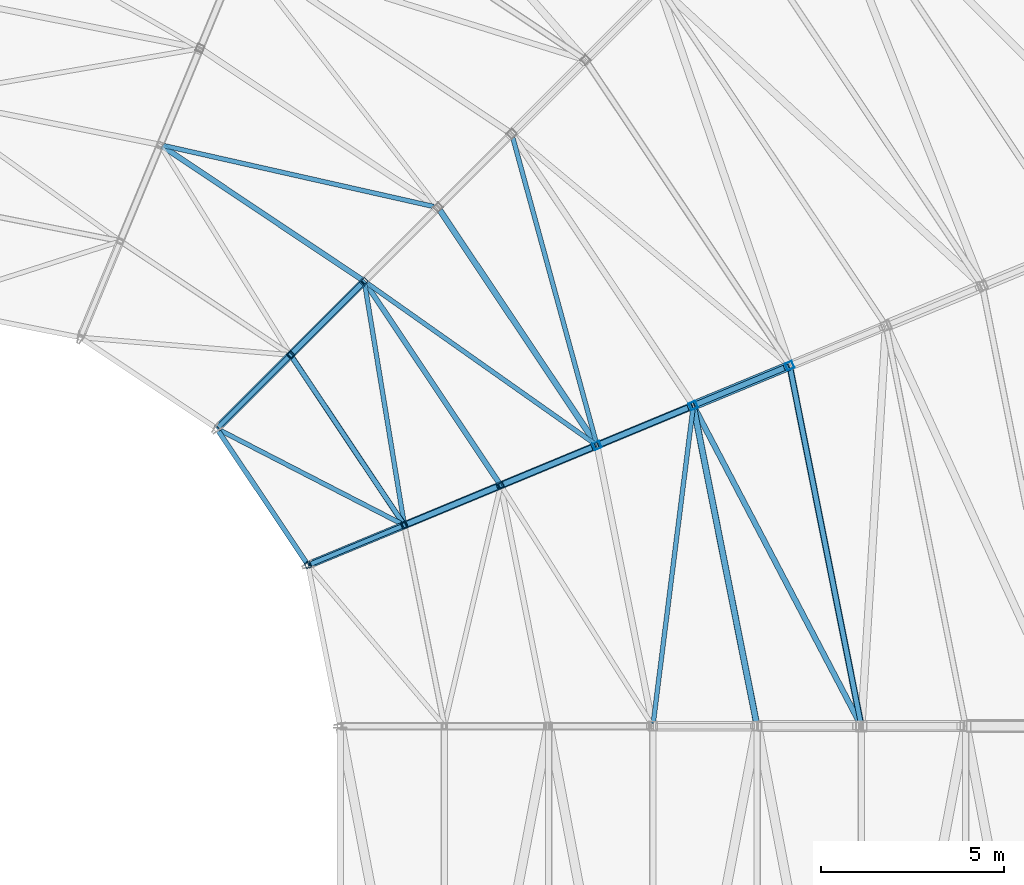
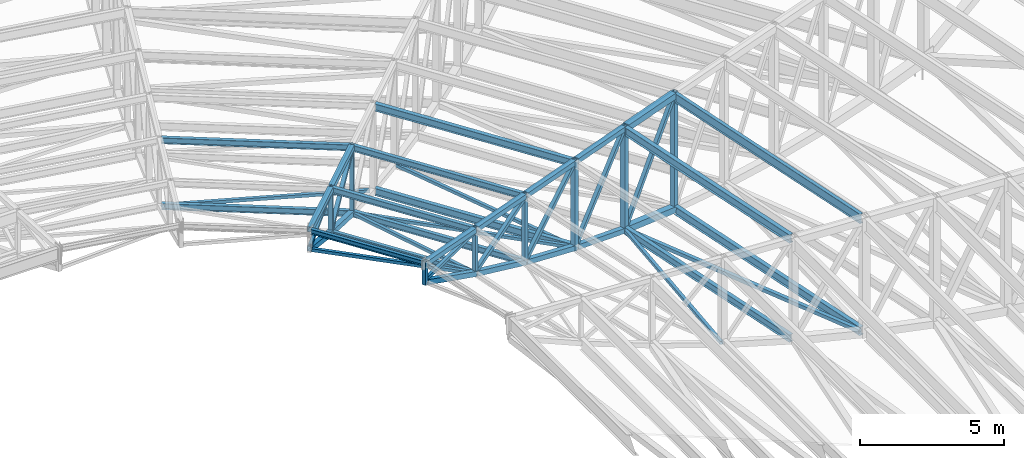
# One storey, part 99 of 278: 27 members, 22 beams.
"""IFC4 building model written with IfcOpenShell, lengths in metres."""

from ifc_helpers import new_model, si_unit, direction, frame, origin, origin_2d, place, context, subcontext, project, spatial, hollow_rectangle, i_section, extrude, material, material_profile, profile_set, type_object, element, save


model = new_model("IFC4")

# Units and contexts
model_context = context("Model", 3, precision=1e-05, world=origin(), true_north=direction((0.0, 1.0)))
body_context = subcontext(model_context, "Body", "Model", "MODEL_VIEW")
ifc_project = project(units=[si_unit("LENGTHUNIT", "METRE"), si_unit("AREAUNIT", "SQUARE_METRE"), si_unit("VOLUMEUNIT", "CUBIC_METRE"), si_unit("PLANEANGLEUNIT", "RADIAN"), si_unit("MASSUNIT", "GRAM", prefix="KILO")], contexts=[model_context])

# Site, building, storey
site_placement = place(None, origin())
site = spatial("IfcSite", under=ifc_project, at=site_placement, CompositionType="ELEMENT")
building_placement = place(site_placement, origin())
building = spatial("IfcBuilding", under=site, at=building_placement, Name="Ogive Plaza Stadium", CompositionType="ELEMENT")
storey_placement = place(building_placement, frame((0.0, 0.0, 29.0)))
storey = spatial("IfcBuildingStorey", under=building, at=storey_placement, Name="Roof", CompositionType="ELEMENT", Elevation=29.0)

# Members
ifc_material_1 = material(Name="Steel ASTM A500 Grade C", Category="steel")
ifc_material_profile_1 = material_profile(ifc_material_1, hollow_rectangle(XDim=0.126953125, YDim=0.126953125, WallThickness=0.005859375, at=origin_2d()), Name="HSS5X5X1/4")
ifc_profile_set_1 = profile_set([ifc_material_profile_1], Name="Steel ASTM A500 Grade C")
member_type_1 = type_object("IfcMemberType", Name="Roof plan brace HSS5X5X1/4", PredefinedType="BRACE", material=ifc_profile_set_1)
member_1_placement = place(storey_placement, frame((40.638916015625, 68.3779296875, 4.206298828125), z_axis=(0.968099836714, -0.218386127806, -0.122842196891), x_axis=(0.220052759827, 0.97548797168, 0.0)))
element("IfcMember", 1, at=member_1_placement, inside=storey, type_object=member_type_1, Name="ROOF BRACE B38 3", PredefinedType="BRACE", context=body_context, shape_type="SweptSolid", body=[
    extrude(hollow_rectangle(XDim=0.126953125, YDim=0.126953125, WallThickness=0.005859375, at=origin_2d()), origin(), (0.0, 0.0, 1.0), 7.655517578125),
])
member_2_placement = place(storey_placement, frame((42.1943359375, 60.599609375, 6.51171875), z_axis=(0.86971173479, -0.447994348676, -0.207129336217), x_axis=(0.457925110267, 0.888990772386, 0.0)))
element("IfcMember", 2, at=member_2_placement, inside=storey, type_object=member_type_1, Name="ROOF BRACE B39 1", PredefinedType="BRACE", context=body_context, shape_type="SweptSolid", body=[
    extrude(hollow_rectangle(XDim=0.126953125, YDim=0.126953125, WallThickness=0.005859375, at=origin_2d()), origin(), (0.0, 0.0, 1.0), 5.6953125),
])
member_3_placement = place(storey_placement, frame((47.24755859375, 58.0537109375, 5.295654296875), z_axis=(-0.159991499608, 0.974144447421, -0.159515878869), x_axis=(-0.986779804791, -0.162066704963, 0.0)))
element("IfcMember", 3, at=member_3_placement, inside=storey, type_object=member_type_1, Name="ROOF BRACE B39 2", PredefinedType="BRACE", context=body_context, shape_type="SweptSolid", body=[
    extrude(hollow_rectangle(XDim=0.126953125, YDim=0.126953125, WallThickness=0.005859375, at=origin_2d()), origin(), (0.0, 0.0, 1.0), 6.673095703125),
])
member_4_placement = place(storey_placement, frame((46.2099609375, 64.628662109375, 4.206298828125), z_axis=(0.810840921574, -0.572228855685, -0.12284598741), x_axis=(0.576596140714, 0.817029308234, 0.0)))
element("IfcMember", 4, at=member_4_placement, inside=storey, type_object=member_type_1, Name="ROOF BRACE B39 3", PredefinedType="BRACE", context=body_context, shape_type="SweptSolid", body=[
    extrude(hollow_rectangle(XDim=0.126953125, YDim=0.126953125, WallThickness=0.005859375, at=origin_2d()), origin(), (0.0, 0.0, 1.0), 7.6552734375),
])
member_5_placement = place(storey_placement, frame((52.50244140625, 60.25048828125, 3.242431640625), z_axis=(-0.262776220921, 0.960526396468, -0.091311003753), x_axis=(-0.964555901835, -0.263878593741, 0.0)))
element("IfcMember", 5, at=member_5_placement, inside=storey, type_object=member_type_1, Name="ROOF BRACE B39 4", PredefinedType="BRACE", context=body_context, shape_type="SweptSolid", body=[
    extrude(hollow_rectangle(XDim=0.126953125, YDim=0.126953125, WallThickness=0.005859375, at=origin_2d()), origin(), (0.0, 0.0, 1.0), 8.66552734375),
])
member_6_placement = place(storey_placement, frame((54.06005859375, 52.579833984375, 3.242431640625), z_axis=(0.124778646777, 0.987974166898, -0.091309007497), x_axis=(-0.992118636076, 0.125302082787, 0.0)))
element("IfcMember", 6, at=member_6_placement, inside=storey, type_object=member_type_1, Name="ROOF BRACE B40 4", PredefinedType="BRACE", context=body_context, shape_type="SweptSolid", body=[
    extrude(hollow_rectangle(XDim=0.126953125, YDim=0.126953125, WallThickness=0.005859375, at=origin_2d()), origin(), (0.0, 0.0, 1.0), 8.665771484375),
])
ifc_material_2 = material(Name="Steel ASTM A500 Grade C", Category="steel")
ifc_material_profile_2 = material_profile(ifc_material_2, hollow_rectangle(XDim=0.15234375, YDim=0.15234375, WallThickness=0.005859375, at=origin_2d()), Name="HSS6X6X1/4")
ifc_profile_set_2 = profile_set([ifc_material_profile_2], Name="Steel ASTM A500 Grade C")
member_type_2 = type_object("IfcMemberType", Name="Roof plan brace HSS6X6X1/4", PredefinedType="BRACE", material=ifc_profile_set_2)
member_7_placement = place(storey_placement, frame((55.193359375, 61.193603515625, 2.434326171875), z_axis=(0.463053945364, -0.883462841824, -0.071235179498), x_axis=(0.885712953377, 0.464233307962, 0.0)))
element("IfcMember", 7, at=member_7_placement, inside=storey, type_object=member_type_2, Name="ROOF BRACE B40 5", PredefinedType="BRACE", context=body_context, shape_type="SweptSolid", body=[
    extrude(hollow_rectangle(XDim=0.15234375, YDim=0.15234375, WallThickness=0.005859375, at=origin_2d()), origin(), (0.0, 0.0, 1.0), 9.657958984375),
])
ifc_material_3 = material(Name="Steel ASTM A992 Grade 50", Category="steel")
ifc_material_profile_3 = material_profile(ifc_material_3, i_section(OverallWidth=0.14599609375, OverallDepth=0.25830078125, WebThickness=0.006103515625, FlangeThickness=0.009033203125, at=origin_2d()), Name="W10X22")
ifc_profile_set_3 = profile_set([ifc_material_profile_3], Name="Steel ASTM A992 Grade 50")
member_type_3 = type_object("IfcMemberType", Name="Roof plan strut W10X22", PredefinedType="STRUT", material=ifc_profile_set_3)
for number, where, z_axis, x_axis, name in (
    (8, (40.6337890625, 68.356201171875, 4.213623046875), (0.831473916404, -0.555563791422, 0.0), (0.555563791422, 0.831473916404, 0.0), "ROOF STRUT B38 2"),
    (9, (46.19677734375, 64.610595703125, 4.213623046875), (0.555563791422, -0.831473916404, 0.0), (0.831473916404, 0.555563791422, 0.0), "ROOF STRUT B39 2"),
):
    element("IfcMember", number, at=place(storey_placement, frame(where, z_axis=z_axis, x_axis=x_axis)), inside=storey, type_object=member_type_3, Name=name, PredefinedType="STRUT", context=body_context, shape_type="SweptSolid", body=[
        extrude(i_section(OverallWidth=0.14599609375, OverallDepth=0.25830078125, WebThickness=0.006103515625, FlangeThickness=0.009033203125, at=origin_2d()), origin(), (0.0, 0.0, 1.0), 6.5869140625),
    ])
ifc_material_4 = material(Name="Steel ASTM A992 Grade 50", Category="steel")
ifc_material_profile_4 = material_profile(ifc_material_4, i_section(OverallWidth=0.164794921875, OverallDepth=0.310302734375, WebThickness=0.005859375, FlangeThickness=0.009765625, at=origin_2d()), Name="W12X26")
ifc_profile_set_4 = profile_set([ifc_material_profile_4], Name="Steel ASTM A992 Grade 50")
member_type_4 = type_object("IfcMemberType", Name="Roof plan strut W12X26", PredefinedType="STRUT", material=ifc_profile_set_4)
member_8_placement = place(storey_placement, frame((48.2275390625, 66.602783203125, 3.249755859375), z_axis=(0.555562324677, -0.831474896434, 0.0), x_axis=(0.831474896434, 0.555562324677, 0.0)))
element("IfcMember", 10, at=member_8_placement, inside=storey, type_object=member_type_4, Name="ROOF STRUT B39 3", PredefinedType="STRUT", context=body_context, shape_type="SweptSolid", body=[
    extrude(i_section(OverallWidth=0.164794921875, OverallDepth=0.310302734375, WebThickness=0.005859375, FlangeThickness=0.009765625, at=origin_2d()), origin(), (0.0, 0.0, 1.0), 7.643310546875),
])
member_9_placement = place(storey_placement, frame((55.17431640625, 61.17529296875, 2.43994140625), z_axis=(0.195104879523, -0.980782384623, 0.0), x_axis=(0.980782384623, 0.195104879523, 0.0)))
element("IfcMember", 11, at=member_9_placement, inside=storey, type_object=member_type_4, Name="ROOF STRUT B40 4", PredefinedType="STRUT", context=body_context, shape_type="SweptSolid", body=[
    extrude(i_section(OverallWidth=0.164794921875, OverallDepth=0.310302734375, WebThickness=0.005859375, FlangeThickness=0.009765625, at=origin_2d()), origin(), (0.0, 0.0, 1.0), 8.729248046875),
])
ifc_material_5 = material(Name="Steel ASTM A992 Grade 50", Category="steel")
ifc_material_profile_5 = material_profile(ifc_material_5, i_section(OverallWidth=0.17138671875, OverallDepth=0.35498046875, WebThickness=0.00732421875, FlangeThickness=0.011474609375, at=origin_2d()), Name="W14X34")
ifc_profile_set_5 = profile_set([ifc_material_profile_5], Name="Steel ASTM A992 Grade 50")
member_type_5 = type_object("IfcMemberType", Name="Roof plan strut W14X34", PredefinedType="STRUT", material=ifc_profile_set_5)
member_10_placement = place(storey_placement, frame((57.8076171875, 62.26513671875, 1.733154296875), z_axis=(0.19508268848, -0.980786798777, 0.0), x_axis=(0.980786798777, 0.19508268848, 0.0)))
element("IfcMember", 12, at=member_10_placement, inside=storey, type_object=member_type_5, Name="ROOF STRUT B40 5", PredefinedType="STRUT", context=body_context, shape_type="SweptSolid", body=[
    extrude(i_section(OverallWidth=0.17138671875, OverallDepth=0.35498046875, WebThickness=0.00732421875, FlangeThickness=0.011474609375, at=origin_2d()), origin(), (0.0, 0.0, 1.0), 9.81396484375),
])
ifc_material_6 = material(Name="Steel ASTM A992 Grade 50", Category="steel")
ifc_material_profile_6 = material_profile(ifc_material_6, i_section(OverallWidth=0.13330078125, OverallDepth=0.206787109375, WebThickness=0.005859375, FlangeThickness=0.00830078125, at=origin_2d()), Name="W8X18")
ifc_profile_set_6 = profile_set([ifc_material_profile_6], Name="Steel ASTM A992 Grade 50")
member_type_6 = type_object("IfcMemberType", Name="Roof plan strut W8X18", PredefinedType="STRUT", material=ifc_profile_set_6)
member_11_placement = place(storey_placement, frame((44.180908203125, 62.59619140625, 5.305908203125), z_axis=(0.555584527762, -0.831460060683, 0.0), x_axis=(0.831460060683, 0.555584527762, 0.0)))
element("IfcMember", 13, at=member_11_placement, inside=storey, type_object=member_type_6, Name="ROOF STRUT B39 1", PredefinedType="STRUT", context=body_context, shape_type="SweptSolid", body=[
    extrude(i_section(OverallWidth=0.13330078125, OverallDepth=0.206787109375, WebThickness=0.005859375, FlangeThickness=0.00830078125, at=origin_2d()), origin(), (0.0, 0.0, 1.0), 5.47705078125),
])
ifc_material_7 = material(Name="Steel ASTM A992 Grade 50", Category="steel")
ifc_material_profile_7 = material_profile(ifc_material_7, i_section(OverallWidth=0.14599609375, OverallDepth=0.25830078125, WebThickness=0.006103515625, FlangeThickness=0.009033203125, at=origin_2d()), Name="W10X22")
ifc_profile_set_7 = profile_set([ifc_material_profile_7], Name="Steel ASTM A992 Grade 50")
member_type_7 = type_object("IfcMemberType", Name="Roof purlin W10X22", PredefinedType="PURLIN", material=ifc_profile_set_7)
member_12_placement = place(storey_placement, frame((40.6337890625, 68.356201171875, 7.0107421875), z_axis=(0.831473916404, -0.555563791422, 0.0), x_axis=(0.555563791422, 0.831473916404, 0.0)))
element("IfcMember", 14, at=member_12_placement, inside=storey, type_object=member_type_7, Name="ROOF PURLIN B38 2", PredefinedType="PURLIN", context=body_context, shape_type="SweptSolid", body=[
    extrude(i_section(OverallWidth=0.14599609375, OverallDepth=0.25830078125, WebThickness=0.006103515625, FlangeThickness=0.009033203125, at=origin_2d()), origin(), (0.0, 0.0, 1.0), 6.5869140625),
])
member_13_placement = place(storey_placement, frame((44.181640625, 62.59521484375, 7.1533203125), z_axis=(0.55556435353, -0.831473540822, 0.0), x_axis=(0.831473540822, 0.55556435353, 0.0)))
element("IfcMember", 15, at=member_13_placement, inside=storey, type_object=member_type_7, Name="ROOF PURLIN B39 1", PredefinedType="PURLIN", context=body_context, shape_type="SweptSolid", body=[
    extrude(i_section(OverallWidth=0.14599609375, OverallDepth=0.25830078125, WebThickness=0.006103515625, FlangeThickness=0.009033203125, at=origin_2d()), origin(), (0.0, 0.0, 1.0), 5.474609375),
])
member_14_placement = place(storey_placement, frame((46.19677734375, 64.610595703125, 7.0107421875), z_axis=(0.555563791422, -0.831473916404, 0.0), x_axis=(0.831473916404, 0.555563791422, 0.0)))
element("IfcMember", 16, at=member_14_placement, inside=storey, type_object=member_type_7, Name="ROOF PURLIN B39 2", PredefinedType="PURLIN", context=body_context, shape_type="SweptSolid", body=[
    extrude(i_section(OverallWidth=0.14599609375, OverallDepth=0.25830078125, WebThickness=0.006103515625, FlangeThickness=0.009033203125, at=origin_2d()), origin(), (0.0, 0.0, 1.0), 6.5869140625),
])
ifc_material_8 = material(Name="Steel ASTM A992 Grade 50", Category="steel")
ifc_material_profile_8 = material_profile(ifc_material_8, i_section(OverallWidth=0.164794921875, OverallDepth=0.310302734375, WebThickness=0.005859375, FlangeThickness=0.009765625, at=origin_2d()), Name="W12X26")
ifc_profile_set_8 = profile_set([ifc_material_profile_8], Name="Steel ASTM A992 Grade 50")
member_type_8 = type_object("IfcMemberType", Name="Roof purlin W12X26", PredefinedType="PURLIN", material=ifc_profile_set_8)
member_15_placement = place(storey_placement, frame((48.2275390625, 66.602783203125, 6.84228515625), z_axis=(0.555562324677, -0.831474896434, 0.0), x_axis=(0.831474896434, 0.555562324677, 0.0)))
element("IfcMember", 17, at=member_15_placement, inside=storey, type_object=member_type_8, Name="ROOF PURLIN B39 3", PredefinedType="PURLIN", context=body_context, shape_type="SweptSolid", body=[
    extrude(i_section(OverallWidth=0.164794921875, OverallDepth=0.310302734375, WebThickness=0.005859375, FlangeThickness=0.009765625, at=origin_2d()), origin(), (0.0, 0.0, 1.0), 7.643310546875),
])
ifc_material_9 = material(Name="Steel ASTM A992 Grade 50", Category="steel")
ifc_material_profile_9 = material_profile(ifc_material_9, i_section(OverallWidth=0.17138671875, OverallDepth=0.35498046875, WebThickness=0.00732421875, FlangeThickness=0.011474609375, at=origin_2d()), Name="W14X34")
ifc_profile_set_9 = profile_set([ifc_material_profile_9], Name="Steel ASTM A992 Grade 50")
member_type_9 = type_object("IfcMemberType", Name="Roof purlin W14X34", PredefinedType="PURLIN", material=ifc_profile_set_9)
member_16_placement = place(storey_placement, frame((55.174560546875, 61.174560546875, 6.677490234375), z_axis=(0.195077827826, -0.980787765569, 0.0), x_axis=(0.980787765569, 0.195077827826, 0.0)))
element("IfcMember", 18, at=member_16_placement, inside=storey, type_object=member_type_9, Name="ROOF PURLIN B40 4", PredefinedType="PURLIN", context=body_context, shape_type="SweptSolid", body=[
    extrude(i_section(OverallWidth=0.17138671875, OverallDepth=0.35498046875, WebThickness=0.00732421875, FlangeThickness=0.011474609375, at=origin_2d()), origin(), (0.0, 0.0, 1.0), 8.72802734375),
])
ifc_material_10 = material(Name="Steel ASTM A992 Grade 50", Category="steel")
ifc_material_profile_10 = material_profile(ifc_material_10, i_section(OverallWidth=0.140380859375, OverallDepth=0.4033203125, WebThickness=0.007080078125, FlangeThickness=0.01123046875, at=origin_2d()), Name="W16X31")
ifc_profile_set_10 = profile_set([ifc_material_profile_10], Name="Steel ASTM A992 Grade 50")
member_type_10 = type_object("IfcMemberType", Name="Roof purlin W16X31", PredefinedType="PURLIN", material=ifc_profile_set_10)
member_17_placement = place(storey_placement, frame((57.806884765625, 62.268310546875, 6.5107421875), z_axis=(0.195107258144, -0.980781911446, 0.0), x_axis=(0.980781911446, 0.195107258144, 0.0)))
element("IfcMember", 19, at=member_17_placement, inside=storey, type_object=member_type_10, Name="ROOF PURLIN B40 5", PredefinedType="PURLIN", context=body_context, shape_type="SweptSolid", body=[
    extrude(i_section(OverallWidth=0.140380859375, OverallDepth=0.4033203125, WebThickness=0.007080078125, FlangeThickness=0.01123046875, at=origin_2d()), origin(), (0.0, 0.0, 1.0), 9.8203125),
])
ifc_material_11 = material(Name="Steel ASTM A992 Grade 50", Category="steel")
ifc_material_profile_11 = material_profile(ifc_material_11, i_section(OverallWidth=0.13330078125, OverallDepth=0.206787109375, WebThickness=0.005859375, FlangeThickness=0.00830078125, at=origin_2d()), Name="W8X18")
ifc_profile_set_11 = profile_set([ifc_material_profile_11], Name="Steel ASTM A992 Grade 50")
member_type_11 = type_object("IfcMemberType", Name="Roof tip ring beam W8X18", PredefinedType="MEMBER", material=ifc_profile_set_11)
member_18_placement = place(storey_placement, frame((42.16552734375, 60.5810546875, 7.321533203125), z_axis=(0.555603345252, -0.831447486462, 0.0), x_axis=(0.831447486462, 0.555603345252, 0.0)))
element("IfcMember", 20, at=member_18_placement, inside=storey, type_object=member_type_11, Name="RING BEAM B39", PredefinedType="MEMBER", context=body_context, shape_type="SweptSolid", body=[
    extrude(i_section(OverallWidth=0.13330078125, OverallDepth=0.206787109375, WebThickness=0.005859375, FlangeThickness=0.00830078125, at=origin_2d()), origin(), (0.0, 0.0, 1.0), 4.365234375),
])

# Beams
ifc_material_12 = material(Name="Steel ASTM A500 Grade C", Category="steel")
ifc_material_profile_12 = material_profile(ifc_material_12, hollow_rectangle(XDim=0.25390625, YDim=0.25390625, WallThickness=0.01171875, at=origin_2d()), Name="HSS10X10X1/2")
ifc_profile_set_12 = profile_set([ifc_material_profile_12], Name="Steel ASTM A500 Grade C")
beam_type_1 = type_object("IfcBeamType", Name="Roof truss bottom chord HSS10X10X1/2", PredefinedType="BEAM", material=ifc_profile_set_12)
beam_1_placement = place(storey_placement, frame((55.195556640625, 61.279541015625, 2.433349609375), z_axis=(0.89673257633, 0.371439859665, -0.240630665544), x_axis=(-0.382684368678, 0.923879144677, 0.0)))
element("IfcBeam", 21, at=beam_1_placement, inside=storey, type_object=beam_type_1, Name="ROOF TRUSS T40 BOTTOM CHORD 5", PredefinedType="BEAM", context=body_context, shape_type="SweptSolid", body=[
    extrude(hollow_rectangle(XDim=0.25390625, YDim=0.25390625, WallThickness=0.01171875, at=origin_2d()), origin(), (0.0, 0.0, 1.0), 2.849853515625),
])
ifc_material_13 = material(Name="Steel ASTM A500 Grade C", Category="steel")
ifc_material_profile_13 = material_profile(ifc_material_13, hollow_rectangle(XDim=0.203125, YDim=0.203125, WallThickness=0.01171875, at=origin_2d()), Name="HSS8X8X1/2")
ifc_profile_set_13 = profile_set([ifc_material_profile_13], Name="Steel ASTM A500 Grade C")
beam_type_2 = type_object("IfcBeamType", Name="Roof truss bottom chord HSS8X8X1/2", PredefinedType="BEAM", material=ifc_profile_set_13)
beam_2_placement = place(storey_placement, frame((42.159912109375, 60.659912109375, 6.518310546875), z_axis=(0.649991641877, 0.649991641877, -0.393727991105), x_axis=(-0.707106781187, 0.707106781187, 0.0)))
element("IfcBeam", 22, at=beam_2_placement, inside=storey, type_object=beam_type_2, Name="ROOF TRUSS T39 BOTTOM CHORD 1", PredefinedType="BEAM", context=body_context, shape_type="SweptSolid", body=[
    extrude(hollow_rectangle(XDim=0.203125, YDim=0.203125, WallThickness=0.01171875, at=origin_2d()), origin(), (0.0, 0.0, 1.0), 3.047607421875),
])
beam_3_placement = place(storey_placement, frame((44.172607421875, 62.672607421875, 5.299072265625), z_axis=(0.660282530207, 0.660282530207, -0.357846280696), x_axis=(-0.707106781187, 0.707106781187, 0.0)))
element("IfcBeam", 23, at=beam_3_placement, inside=storey, type_object=beam_type_2, Name="ROOF TRUSS T39 BOTTOM CHORD 2", PredefinedType="BEAM", context=body_context, shape_type="SweptSolid", body=[
    extrude(hollow_rectangle(XDim=0.203125, YDim=0.203125, WallThickness=0.01171875, at=origin_2d()), origin(), (0.0, 0.0, 1.0), 3.00048828125),
])
beam_4_placement = place(storey_placement, frame((44.66162109375, 56.916259765625, 6.518310546875), z_axis=(0.849251260717, 0.351765143459, -0.393743038055), x_axis=(-0.382677632008, 0.923881935076, 0.0)))
element("IfcBeam", 24, at=beam_4_placement, inside=storey, type_object=beam_type_2, Name="ROOF TRUSS T40 BOTTOM CHORD 1", PredefinedType="BEAM", context=body_context, shape_type="SweptSolid", body=[
    extrude(hollow_rectangle(XDim=0.203125, YDim=0.203125, WallThickness=0.01171875, at=origin_2d()), origin(), (0.0, 0.0, 1.0), 3.047607421875),
])
beam_5_placement = place(storey_placement, frame((47.291259765625, 58.00537109375, 5.299072265625), z_axis=(0.862700869161, 0.357350015784, -0.357838198866), x_axis=(-0.38269039354, 0.923876649068, 0.0)))
element("IfcBeam", 25, at=beam_5_placement, inside=storey, type_object=beam_type_2, Name="ROOF TRUSS T40 BOTTOM CHORD 2", PredefinedType="BEAM", context=body_context, shape_type="SweptSolid", body=[
    extrude(hollow_rectangle(XDim=0.203125, YDim=0.203125, WallThickness=0.01171875, at=origin_2d()), origin(), (0.0, 0.0, 1.0), 3.00048828125),
])
beam_6_placement = place(storey_placement, frame((49.9208984375, 59.0947265625, 4.208251953125), z_axis=(0.875211905582, 0.362478322525, -0.320333554327), x_axis=(-0.382641697258, 0.923896818654, 0.0)))
element("IfcBeam", 26, at=beam_6_placement, inside=storey, type_object=beam_type_2, Name="ROOF TRUSS T40 BOTTOM CHORD 3", PredefinedType="BEAM", context=body_context, shape_type="SweptSolid", body=[
    extrude(hollow_rectangle(XDim=0.203125, YDim=0.203125, WallThickness=0.01171875, at=origin_2d()), origin(), (0.0, 0.0, 1.0), 2.93115234375),
])
beam_7_placement = place(storey_placement, frame((52.564697265625, 60.189697265625, 3.2412109375), z_axis=(0.886574426433, 0.36727087962, -0.281243466376), x_axis=(-0.382718768474, 0.923864895024, 0.0)))
element("IfcBeam", 27, at=beam_7_placement, inside=storey, type_object=beam_type_2, Name="ROOF TRUSS T40 BOTTOM CHORD 4", PredefinedType="BEAM", context=body_context, shape_type="SweptSolid", body=[
    extrude(hollow_rectangle(XDim=0.203125, YDim=0.203125, WallThickness=0.01171875, at=origin_2d()), origin(), (0.0, 0.0, 1.0), 2.877685546875),
])

# Members
ifc_material_14 = material(Name="Steel ASTM A500 Grade C", Category="steel")
ifc_material_profile_14 = material_profile(ifc_material_14, hollow_rectangle(XDim=0.126953125, YDim=0.126953125, WallThickness=0.005859375, at=origin_2d()), Name="HSS5X5X1/4")
ifc_profile_set_14 = profile_set([ifc_material_profile_14], Name="Steel ASTM A500 Grade C")
member_type_12 = type_object("IfcMemberType", Name="Roof truss diagonal HSS5X5X1/4", PredefinedType="BRACE", material=ifc_profile_set_14)
for number, where, z_axis, x_axis, name in (
    (28, (42.185546875, 60.685546875, 6.628173828125), (0.69741961611, 0.69741961611, 0.164959868242), (-0.707106781187, 0.707106781187, 0.0), "ROOF TRUSS T39 DIAGONAL 1"),
    (29, (44.695068359375, 56.929931640625, 6.628173828125), (0.911200476609, 0.377494789927, 0.164958706972), (-0.382738120768, 0.923856877937, 0.0), "ROOF TRUSS T40 DIAGONAL 1"),
):
    element("IfcMember", number, at=place(storey_placement, frame(where, z_axis=z_axis, x_axis=x_axis)), inside=storey, type_object=member_type_12, Name=name, PredefinedType="BRACE", context=body_context, shape_type="SweptSolid", body=[
        extrude(hollow_rectangle(XDim=0.126953125, YDim=0.126953125, WallThickness=0.005859375, at=origin_2d()), origin(), (0.0, 0.0, 1.0), 2.735107421875),
    ])
ifc_material_15 = material(Name="Steel ASTM A500 Grade C", Category="steel")
ifc_material_profile_15 = material_profile(ifc_material_15, hollow_rectangle(XDim=0.15234375, YDim=0.15234375, WallThickness=0.005859375, at=origin_2d()), Name="HSS6X6X1/4")
ifc_profile_set_15 = profile_set([ifc_material_profile_15], Name="Steel ASTM A500 Grade C")
member_type_13 = type_object("IfcMemberType", Name="Roof truss diagonal HSS6X6X1/4", PredefinedType="BRACE", material=ifc_profile_set_15)
for number, where, z_axis, x_axis, name in (
    (30, (44.200927734375, 62.700927734375, 5.407470703125), (0.61513271655, 0.61513271655, 0.493176927745), (-0.707106781187, 0.707106781187, 0.0), "ROOF TRUSS T39 DIAGONAL 2"),
    (31, (47.328125, 58.020751953125, 5.407470703125), (0.803712399025, 0.332885582198, 0.493187153947), (-0.382660871212, 0.923888877324, 0.0), "ROOF TRUSS T40 DIAGONAL 2"),
):
    element("IfcMember", number, at=place(storey_placement, frame(where, z_axis=z_axis, x_axis=x_axis)), inside=storey, type_object=member_type_13, Name=name, PredefinedType="BRACE", context=body_context, shape_type="SweptSolid", body=[
        extrude(hollow_rectangle(XDim=0.15234375, YDim=0.15234375, WallThickness=0.005859375, at=origin_2d()), origin(), (0.0, 0.0, 1.0), 3.100830078125),
    ])
member_19_placement = place(storey_placement, frame((49.961181640625, 59.111328125, 4.315185546875), z_axis=(0.677295435038, 0.280576599819, 0.680108568767), x_axis=(-0.382720275855, 0.923864270577, 0.0)))
element("IfcMember", 32, at=member_19_placement, inside=storey, type_object=member_type_13, Name="ROOF TRUSS T40 DIAGONAL 3", PredefinedType="BRACE", context=body_context, shape_type="SweptSolid", body=[
    extrude(hollow_rectangle(XDim=0.15234375, YDim=0.15234375, WallThickness=0.005859375, at=origin_2d()), origin(), (0.0, 0.0, 1.0), 3.64501953125),
])
member_20_placement = place(storey_placement, frame((52.61767578125, 60.211669921875, 3.3515625), z_axis=(0.578013230123, 0.239434593828, 0.780110108306), x_axis=(-0.382702088427, 0.923871804697, 0.0)))
element("IfcMember", 33, at=member_20_placement, inside=storey, type_object=member_type_13, Name="ROOF TRUSS T40 DIAGONAL 4", PredefinedType="BRACE", context=body_context, shape_type="SweptSolid", body=[
    extrude(hollow_rectangle(XDim=0.15234375, YDim=0.15234375, WallThickness=0.005859375, at=origin_2d()), origin(), (0.0, 0.0, 1.0), 4.23046875),
])
member_21_placement = place(storey_placement, frame((55.250732421875, 61.30224609375, 2.56689453125), z_axis=(0.519572207016, 0.215226146856, 0.826875097827), x_axis=(-0.382702088427, 0.923871804697, 0.0)))
element("IfcMember", 34, at=member_21_placement, inside=storey, type_object=member_type_13, Name="ROOF TRUSS T40 DIAGONAL 5", PredefinedType="BRACE", context=body_context, shape_type="SweptSolid", body=[
    extrude(hollow_rectangle(XDim=0.15234375, YDim=0.15234375, WallThickness=0.005859375, at=origin_2d()), origin(), (0.0, 0.0, 1.0), 4.706298828125),
])

# Beams
ifc_material_16 = material(Name="Steel ASTM A500 Grade C", Category="steel")
ifc_material_profile_16 = material_profile(ifc_material_16, hollow_rectangle(XDim=0.15234375, YDim=0.15234375, WallThickness=0.0087890625, at=origin_2d()), Name="HSS6X6X3/8")
ifc_profile_set_16 = profile_set([ifc_material_profile_16], Name="Steel ASTM A500 Grade C")
beam_type_3 = type_object("IfcBeamType", Name="Roof truss post HSS6X6X3/8", PredefinedType="BEAM", material=ifc_profile_set_16)
beam_8_placement = place(storey_placement, frame((44.14697265625, 62.64697265625, 5.204345703125), z_axis=(0.0, 0.0, 1.0), x_axis=(-0.707106781187, 0.707106781187, 0.0)))
element("IfcBeam", 35, at=beam_8_placement, inside=storey, type_object=beam_type_3, Name="ROOF TRUSS T39 POST 2", PredefinedType="BEAM", context=body_context, shape_type="SweptSolid", body=[
    extrude(hollow_rectangle(XDim=0.15234375, YDim=0.15234375, WallThickness=0.0087890625, at=origin_2d()), origin(), (0.0, 0.0, 1.0), 2.078125),
])
beam_9_placement = place(storey_placement, frame((46.162353515625, 64.662353515625, 4.112060546875), z_axis=(0.0, 0.0, 1.0), x_axis=(-0.707106781187, 0.707106781187, 0.0)))
element("IfcBeam", 36, at=beam_9_placement, inside=storey, type_object=beam_type_3, Name="ROOF TRUSS T39 POST 3", PredefinedType="BEAM", context=body_context, shape_type="SweptSolid", body=[
    extrude(hollow_rectangle(XDim=0.15234375, YDim=0.15234375, WallThickness=0.0087890625, at=origin_2d()), origin(), (0.0, 0.0, 1.0), 3.02783203125),
])
beam_10_placement = place(storey_placement, frame((44.62451171875, 56.90087890625, 6.425048828125), z_axis=(0.0, 0.0, 1.0), x_axis=(-0.382683432365, 0.923879532511, 0.0)))
element("IfcBeam", 37, at=beam_10_placement, inside=storey, type_object=beam_type_3, Name="ROOF TRUSS T40 POST 1", PredefinedType="BEAM", context=body_context, shape_type="SweptSolid", body=[
    extrude(hollow_rectangle(XDim=0.15234375, YDim=0.15234375, WallThickness=0.0087890625, at=origin_2d()), origin(), (0.0, 0.0, 1.0), 1.0),
])
beam_11_placement = place(storey_placement, frame((47.257568359375, 57.991455078125, 5.204345703125), z_axis=(0.0, 0.0, 1.0), x_axis=(-0.382683432365, 0.923879532511, 0.0)))
element("IfcBeam", 38, at=beam_11_placement, inside=storey, type_object=beam_type_3, Name="ROOF TRUSS T40 POST 2", PredefinedType="BEAM", context=body_context, shape_type="SweptSolid", body=[
    extrude(hollow_rectangle(XDim=0.15234375, YDim=0.15234375, WallThickness=0.0087890625, at=origin_2d()), origin(), (0.0, 0.0, 1.0), 2.078125),
])
beam_12_placement = place(storey_placement, frame((49.890625, 59.082275390625, 4.112060546875), z_axis=(0.0, 0.0, 1.0), x_axis=(-0.382683432365, 0.923879532511, 0.0)))
element("IfcBeam", 39, at=beam_12_placement, inside=storey, type_object=beam_type_3, Name="ROOF TRUSS T40 POST 3", PredefinedType="BEAM", context=body_context, shape_type="SweptSolid", body=[
    extrude(hollow_rectangle(XDim=0.15234375, YDim=0.15234375, WallThickness=0.0087890625, at=origin_2d()), origin(), (0.0, 0.0, 1.0), 3.02783203125),
])
ifc_material_17 = material(Name="Steel ASTM A500 Grade C", Category="steel")
ifc_material_profile_17 = material_profile(ifc_material_17, hollow_rectangle(XDim=0.203125, YDim=0.203125, WallThickness=0.0087890625, at=origin_2d()), Name="HSS8X8X3/8")
ifc_profile_set_17 = profile_set([ifc_material_profile_17], Name="Steel ASTM A500 Grade C")
beam_type_4 = type_object("IfcBeamType", Name="Roof truss post HSS8X8X3/8", PredefinedType="BEAM", material=ifc_profile_set_17)
beam_13_placement = place(storey_placement, frame((52.523681640625, 60.1728515625, 3.148193359375), z_axis=(0.0, 0.0, 1.0), x_axis=(-0.382683432365, 0.923879532511, 0.0)))
element("IfcBeam", 40, at=beam_13_placement, inside=storey, type_object=beam_type_4, Name="ROOF TRUSS T40 POST 4", PredefinedType="BEAM", context=body_context, shape_type="SweptSolid", body=[
    extrude(hollow_rectangle(XDim=0.203125, YDim=0.203125, WallThickness=0.0087890625, at=origin_2d()), origin(), (0.0, 0.0, 1.0), 3.849365234375),
])
beam_14_placement = place(storey_placement, frame((55.15673828125, 61.263427734375, 2.31298828125), z_axis=(0.0, 0.0, 1.0), x_axis=(-0.382683432365, 0.923879532511, 0.0)))
element("IfcBeam", 41, at=beam_14_placement, inside=storey, type_object=beam_type_4, Name="ROOF TRUSS T40 POST 5", PredefinedType="BEAM", context=body_context, shape_type="SweptSolid", body=[
    extrude(hollow_rectangle(XDim=0.203125, YDim=0.203125, WallThickness=0.0087890625, at=origin_2d()), origin(), (0.0, 0.0, 1.0), 4.5419921875),
])
beam_15_placement = place(storey_placement, frame((57.789794921875, 62.35400390625, 1.606201171875), z_axis=(0.0, 0.0, 1.0), x_axis=(-0.382683432365, 0.923879532511, 0.0)))
element("IfcBeam", 42, at=beam_15_placement, inside=storey, type_object=beam_type_4, Name="ROOF TRUSS T40 POST 6", PredefinedType="BEAM", context=body_context, shape_type="SweptSolid", body=[
    extrude(hollow_rectangle(XDim=0.203125, YDim=0.203125, WallThickness=0.0087890625, at=origin_2d()), origin(), (0.0, 0.0, 1.0), 5.106201171875),
])
ifc_material_18 = material(Name="Steel ASTM A500 Grade C", Category="steel")
ifc_material_profile_18 = material_profile(ifc_material_18, hollow_rectangle(XDim=0.25390625, YDim=0.25390625, WallThickness=0.0087890625, at=origin_2d()), Name="HSS10X10X3/8")
ifc_profile_set_18 = profile_set([ifc_material_profile_18], Name="Steel ASTM A500 Grade C")
beam_type_5 = type_object("IfcBeamType", Name="Roof truss top chord HSS10X10X3/8", PredefinedType="BEAM", material=ifc_profile_set_18)
beam_16_placement = place(storey_placement, frame((55.203125, 61.282470703125, 6.725341796875), z_axis=(0.922705839284, 0.382258780814, -0.049921524843), x_axis=(-0.382735997737, 0.923857757469, 0.0)))
element("IfcBeam", 43, at=beam_16_placement, inside=storey, type_object=beam_type_5, Name="ROOF TRUSS T40 TOP CHORD 5", PredefinedType="BEAM", context=body_context, shape_type="SweptSolid", body=[
    extrude(hollow_rectangle(XDim=0.25390625, YDim=0.25390625, WallThickness=0.0087890625, at=origin_2d()), origin(), (0.0, 0.0, 1.0), 2.75341796875),
])
ifc_material_19 = material(Name="Steel ASTM A500 Grade C", Category="steel")
ifc_material_profile_19 = material_profile(ifc_material_19, hollow_rectangle(XDim=0.203125, YDim=0.203125, WallThickness=0.0087890625, at=origin_2d()), Name="HSS8X8X3/8")
ifc_profile_set_19 = profile_set([ifc_material_profile_19], Name="Steel ASTM A500 Grade C")
beam_type_6 = type_object("IfcBeamType", Name="Roof truss top chord HSS8X8X3/8", PredefinedType="BEAM", material=ifc_profile_set_19)
for number, where, z_axis, x_axis, name in (
    (44, (42.160888671875, 60.660888671875, 7.3212890625), (0.706223982221, 0.706223982221, -0.049953717305), (-0.707106781187, 0.707106781187, 0.0), "ROOF TRUSS T39 TOP CHORD 1"),
    (45, (44.176025390625, 62.676025390625, 7.1787109375), (0.706223982221, 0.706223982221, -0.049953717305), (-0.707106781187, 0.707106781187, 0.0), "ROOF TRUSS T39 TOP CHORD 2"),
    (46, (44.66259765625, 56.91650390625, 7.3212890625), (0.922709851429, 0.382245373816, -0.049950017735), (-0.382723119906, 0.923863092395, 0.0), "ROOF TRUSS T40 TOP CHORD 1"),
    (47, (47.295654296875, 58.00732421875, 7.1787109375), (0.922740920758, 0.382170146482, -0.049951699644), (-0.382647830777, 0.923894278368, 0.0), "ROOF TRUSS T40 TOP CHORD 2"),
):
    element("IfcBeam", number, at=place(storey_placement, frame(where, z_axis=z_axis, x_axis=x_axis)), inside=storey, type_object=beam_type_6, Name=name, PredefinedType="BEAM", context=body_context, shape_type="SweptSolid", body=[
        extrude(hollow_rectangle(XDim=0.203125, YDim=0.203125, WallThickness=0.0087890625, at=origin_2d()), origin(), (0.0, 0.0, 1.0), 2.771240234375),
    ])
beam_17_placement = place(storey_placement, frame((49.9287109375, 59.097900390625, 7.0361328125), z_axis=(0.922739022917, 0.382176583821, -0.049937504593), x_axis=(-0.382654004196, 0.923891721509, 0.0)))
element("IfcBeam", 48, at=beam_17_placement, inside=storey, type_object=beam_type_6, Name="ROOF TRUSS T40 TOP CHORD 3", PredefinedType="BEAM", context=body_context, shape_type="SweptSolid", body=[
    extrude(hollow_rectangle(XDim=0.203125, YDim=0.203125, WallThickness=0.0087890625, at=origin_2d()), origin(), (0.0, 0.0, 1.0), 2.76220703125),
])
beam_18_placement = place(storey_placement, frame((52.570068359375, 60.19189453125, 6.893310546875), z_axis=(0.922705839284, 0.382258780814, -0.049921524843), x_axis=(-0.382735997737, 0.923857757469, 0.0)))
element("IfcBeam", 49, at=beam_18_placement, inside=storey, type_object=beam_type_6, Name="ROOF TRUSS T40 TOP CHORD 4", PredefinedType="BEAM", context=body_context, shape_type="SweptSolid", body=[
    extrude(hollow_rectangle(XDim=0.203125, YDim=0.203125, WallThickness=0.0087890625, at=origin_2d()), origin(), (0.0, 0.0, 1.0), 2.75341796875),
])

save(model, "model.ifc")
